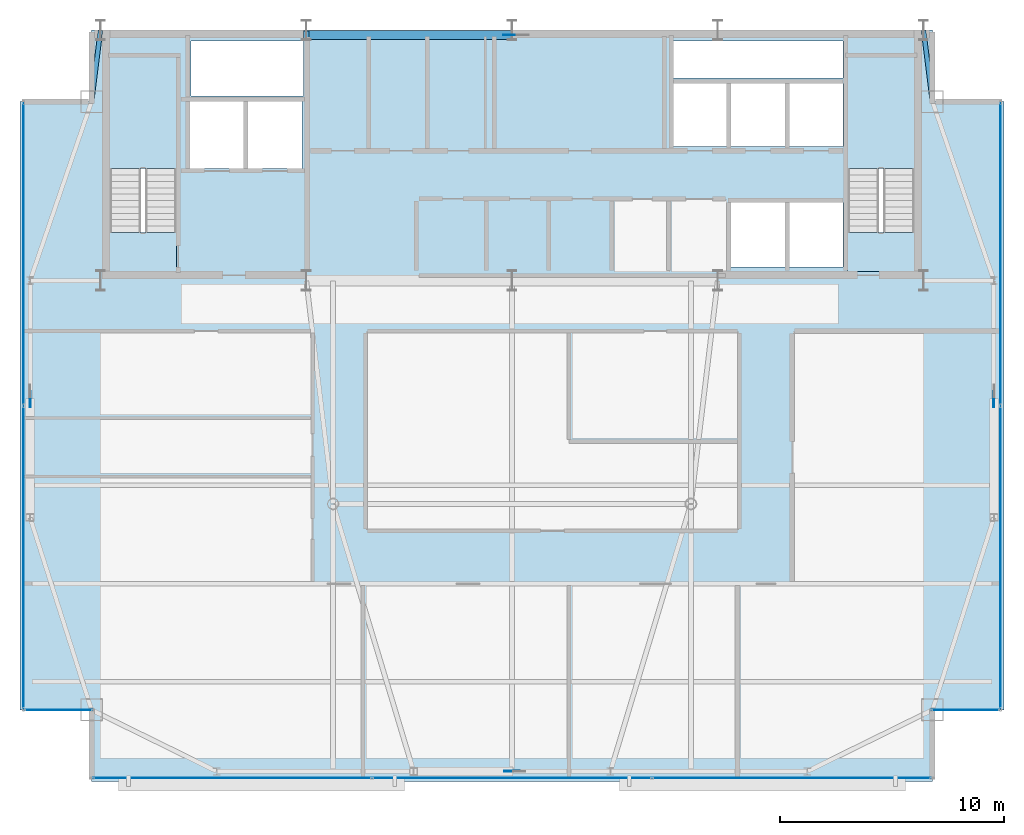
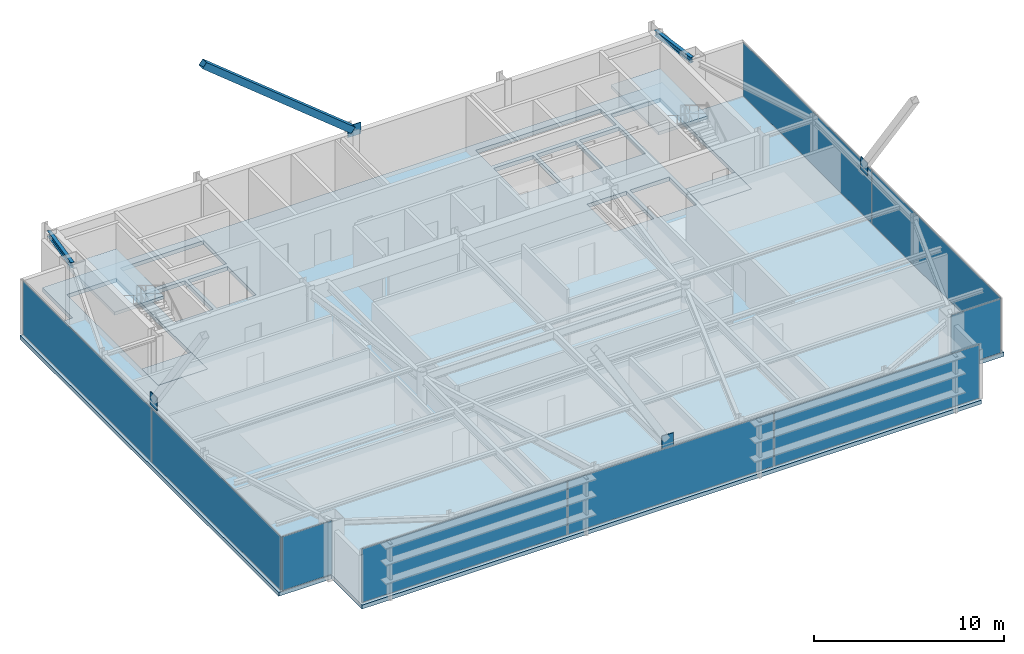
# One storey, part 18 of 24: 13 plates, 5 slabs, 2 beams, 1 member, 7 elements without a shape of their own.
"""IFC4 building model written with IfcOpenShell, lengths in metres."""

import ifcopenshell
import ifcopenshell.guid

model = None  # the IFC model being written
_history = None  # IfcOwnerHistory: only IFC2X3 demands one
_inside = {}  # id of a spatial element -> (the spatial element, [elements in it])
_under = {}  # id of a project, library or spatial element -> (it, [spatial elements below it])
_declared = {}  # id of a project -> (the project, [libraries it declares])
_typed = {}  # id of a type object -> (the type object, [elements of that type])
_made_of = {}  # id of a material, layer set ... -> (it, [elements and type objects made of it])


def new_model(schema):
    """Start an empty IFC model of exactly this schema.

    Asked for "IFC4X3", IfcOpenShell would pick the latest addendum, in which some entities
    have other attributes; the version numbers below select the first issue.
    IFC2X3 requires an IfcOwnerHistory on every rooted entity: one is made here for all.
    """
    global model, _history
    if schema == "IFC4X3":
        model = ifcopenshell.file(schema_version=(4, 3, 0, 0))
    else:
        model = ifcopenshell.file(schema=schema)
    _inside.clear()
    _under.clear()
    _declared.clear()
    _typed.clear()
    _made_of.clear()
    _history = None
    if model.schema == "IFC2X3":
        org = make("IfcOrganization", Name="unknown")
        user = make(
            "IfcPersonAndOrganization",
            ThePerson=make("IfcPerson", FamilyName="unknown"),
            TheOrganization=org,
        )
        app = make(
            "IfcApplication",
            ApplicationDeveloper=org,
            Version="unknown",
            ApplicationFullName="unknown",
            ApplicationIdentifier="unknown",
        )
        _history = make(
            "IfcOwnerHistory",
            OwningUser=user,
            OwningApplication=app,
            ChangeAction="ADDED",
            CreationDate=0,
        )
    return model


def make(cls, **values):
    """One entity of the class cls with the attributes given. An attribute that is None is left unset."""
    return model.create_entity(
        cls, **{name: value for name, value in values.items() if value is not None}
    )


def rooted(cls, **values):
    """An entity with a GlobalId (a new one), such as an element, a storey or a relation."""
    return make(cls, GlobalId=ifcopenshell.guid.new(), OwnerHistory=_history, **values)


def si_unit(unit_type, name, prefix=None):
    """IfcSIUnit, for example si_unit("LENGTHUNIT", "METRE", prefix="MILLI")."""
    return make("IfcSIUnit", UnitType=unit_type, Prefix=prefix, Name=name)


def assignment(units):
    """IfcUnitAssignment: the units of a project."""
    return None if units is None else make("IfcUnitAssignment", Units=units)


def point(xyz):
    """IfcCartesianPoint."""
    return None if xyz is None else make("IfcCartesianPoint", Coordinates=xyz)


def direction(xyz):
    """IfcDirection."""
    return None if xyz is None else make("IfcDirection", DirectionRatios=xyz)


def frame(location, z_axis=None, x_axis=None):
    """IfcAxis2Placement3D, a coordinate frame: its origin and axes. An axis left out is left unset."""
    return make(
        "IfcAxis2Placement3D",
        Location=point(location),
        Axis=direction(z_axis),
        RefDirection=direction(x_axis),
    )


def frame_2d(location, x_axis=None):
    """IfcAxis2Placement2D, a coordinate frame in the plane: its origin and x axis."""
    return make(
        "IfcAxis2Placement2D", Location=point(location), RefDirection=direction(x_axis)
    )


def origin():
    """The frame at (0, 0, 0) with its axes left unset."""
    return frame((0.0, 0.0, 0.0))


def origin_2d():
    """The frame at (0, 0) in the plane with its x axis left unset."""
    return frame_2d((0.0, 0.0))


def place(relative_to, where):
    """IfcLocalPlacement: puts the frame where relative to a parent placement (None: the world)."""
    return make(
        "IfcLocalPlacement", PlacementRelTo=relative_to, RelativePlacement=where
    )


def context(
    kind, dimensions, precision=None, world=None, true_north=None, identifier=None
):
    """IfcGeometricRepresentationContext, for example the 3D "Model" context."""
    return make(
        "IfcGeometricRepresentationContext",
        ContextIdentifier=identifier,
        ContextType=kind,
        CoordinateSpaceDimension=dimensions,
        Precision=precision,
        WorldCoordinateSystem=world,
        TrueNorth=true_north,
    )


def subcontext(parent, identifier, kind, view, scale=None):
    """IfcGeometricRepresentationSubContext, for example "Body" below "Model"."""
    return make(
        "IfcGeometricRepresentationSubContext",
        ContextIdentifier=identifier,
        ContextType=kind,
        ParentContext=parent,
        TargetScale=scale,
        TargetView=view,
    )


def project(units=None, contexts=None):
    """IfcProject with its units and contexts."""
    return rooted(
        "IfcProject",
        Name="project",
        RepresentationContexts=contexts,
        UnitsInContext=assignment(units),
    )


def spatial(cls, under=None, at=None, **own):
    """A site, building, storey or space (cls), placed at a placement, below another one or the project."""
    s = rooted(cls, ObjectPlacement=at, **own)
    if under is not None:
        _under.setdefault(under.id(), (under, []))[1].append(s)
    return s


def polyline(points):
    """IfcPolyline through the points."""
    return make("IfcPolyline", Points=[point(p) for p in points])


def profile(cls, at=None, kind="AREA", **sizes):
    """A parametric profile (cls). Its sizes go by their IFC names, for example OverallWidth=200.0."""
    return make(cls, ProfileType=kind, Position=at, **sizes)


def rectangle(**sizes):
    """IfcRectangleProfileDef."""
    return profile("IfcRectangleProfileDef", **sizes)


def hollow_rectangle(**sizes):
    """IfcRectangleHollowProfileDef."""
    return profile("IfcRectangleHollowProfileDef", **sizes)


def i_section(**sizes):
    """IfcIShapeProfileDef."""
    return profile("IfcIShapeProfileDef", **sizes)


def outline(outer, holes=None, kind="AREA"):
    """IfcArbitraryClosedProfileDef: a profile drawn as a closed curve; with holes, ...WithVoids."""
    if holes is None:
        return make("IfcArbitraryClosedProfileDef", ProfileType=kind, OuterCurve=outer)
    return make(
        "IfcArbitraryProfileDefWithVoids",
        ProfileType=kind,
        OuterCurve=outer,
        InnerCurves=holes,
    )


def extrude(swept, where, along, depth):
    """IfcExtrudedAreaSolid: the profile swept, set in the frame where, extruded along a direction by depth."""
    return make(
        "IfcExtrudedAreaSolid",
        SweptArea=swept,
        Position=where,
        ExtrudedDirection=direction(along),
        Depth=depth,
    )


def shape(context_of_items, identifier, shape_type, items):
    """IfcShapeRepresentation: the items that make up one representation, for example the "Body"."""
    return make(
        "IfcShapeRepresentation",
        ContextOfItems=context_of_items,
        RepresentationIdentifier=identifier,
        RepresentationType=shape_type,
        Items=items,
    )


def source(mapping_origin, context_of_items, identifier, shape_type, items):
    """IfcRepresentationMap: a shape defined once, which mapped items show again and again."""
    return make(
        "IfcRepresentationMap",
        MappingOrigin=mapping_origin,
        MappedRepresentation=shape(context_of_items, identifier, shape_type, items),
    )


def transform(
    local_origin,
    x_axis=None,
    y_axis=None,
    z_axis=None,
    scale=None,
    scale2=None,
    scale3=None,
    uniform=True,
):
    """IfcCartesianTransformationOperator3D, or its non-uniform kind. x_axis, y_axis, z_axis: its Axis1, 2, 3."""
    if uniform:
        return make(
            "IfcCartesianTransformationOperator3D",
            Axis1=direction(x_axis),
            Axis2=direction(y_axis),
            LocalOrigin=point(local_origin),
            Scale=scale,
            Axis3=direction(z_axis),
        )
    return make(
        "IfcCartesianTransformationOperator3DnonUniform",
        Axis1=direction(x_axis),
        Axis2=direction(y_axis),
        LocalOrigin=point(local_origin),
        Scale=scale,
        Axis3=direction(z_axis),
        Scale2=scale2,
        Scale3=scale3,
    )


def mapped(mapping_source, mapping_target):
    """IfcMappedItem: shows the shape of a source again, moved by a transform."""
    return make(
        "IfcMappedItem", MappingSource=mapping_source, MappingTarget=mapping_target
    )


def material(Name=None, Category=None):
    """IfcMaterial."""
    return make("IfcMaterial", Name=Name, Category=Category)


def layer(
    of_material, thickness, ventilated=None, Name=None, Category=None, Priority=None
):
    """IfcMaterialLayer: one layer of a wall or slab, of a material (None: an air gap)."""
    return make(
        "IfcMaterialLayer",
        Material=of_material,
        LayerThickness=thickness,
        IsVentilated=ventilated,
        Name=Name,
        Category=Category,
        Priority=Priority,
    )


def layer_set(layers, Name=None):
    """IfcMaterialLayerSet."""
    return make("IfcMaterialLayerSet", MaterialLayers=layers, LayerSetName=Name)


def material_profile(
    of_material, cross_section, Name=None, Category=None, Priority=None
):
    """IfcMaterialProfile: a cross section and its material."""
    return make(
        "IfcMaterialProfile",
        Name=Name,
        Material=of_material,
        Profile=cross_section,
        Priority=Priority,
        Category=Category,
    )


def profile_set(profiles, Name=None, composite=None):
    """IfcMaterialProfileSet."""
    return make(
        "IfcMaterialProfileSet",
        Name=Name,
        MaterialProfiles=profiles,
        CompositeProfile=composite,
    )


def made_of(thing, what):
    """Note that an element or type object is made of a material, layer set ...; save() writes the relation."""
    if what is not None:
        _made_of.setdefault(what.id(), (what, []))[1].append(thing)
    return thing


def type_object(cls, material=None, **own):
    """A type object (cls), such as IfcWallType, which elements share."""
    return made_of(rooted(cls, **own), material)


def type_shapes(of_type, sources):
    """Give a type object the sources (RepresentationMaps) that its elements show as mapped items."""
    of_type.RepresentationMaps = sources


def element(
    cls,
    number,
    at=None,
    inside=None,
    cuts=None,
    type_object=None,
    material=None,
    context=None,
    identifier="Body",
    shape_type=None,
    held_by="IfcProductDefinitionShape",
    body=None,
    shapes=None,
    **own,
):
    """One element of the class cls, such as IfcWall. Its Tag is "e" and its number.

    at: its placement. inside: the storey or other place that contains it. cuts: it is an
    opening in that element (IfcRelVoidsElement). A single representation is given by context,
    identifier, shape_type and body (its items); several are given by shapes. held_by: the class
    of the entity that holds the representations. save() writes the other relations.
    """
    e = rooted(cls, Tag="e%d" % number, ObjectPlacement=at, **own)
    if body is not None:
        shapes = [shape(context, identifier, shape_type, body)]
    if shapes is not None:
        e.Representation = make(held_by, Representations=shapes)
    if inside is not None:
        _inside.setdefault(inside.id(), (inside, []))[1].append(e)
    if cuts is not None:
        rooted(
            "IfcRelVoidsElement", RelatingBuildingElement=cuts, RelatedOpeningElement=e
        )
    if type_object is not None:
        _typed.setdefault(type_object.id(), (type_object, []))[1].append(e)
    return made_of(e, material)


def aggregate(whole, parts):
    """IfcRelAggregates: a whole, such as a stair, and the parts it consists of."""
    return rooted("IfcRelAggregates", RelatingObject=whole, RelatedObjects=parts)


def save(model, path):
    """Write the relations noted so far, then the file.

    IfcRelAggregates (storeys below a building ...), IfcRelContainedInSpatialStructure (elements
    in a storey), IfcRelDefinesByType, IfcRelAssociatesMaterial and IfcRelDeclares: one each for
    every whole, place, type object, material and project.
    """
    for whole, parts in _under.values():
        aggregate(whole, parts)
    for where, things in _inside.values():
        rooted(
            "IfcRelContainedInSpatialStructure",
            RelatedElements=things,
            RelatingStructure=where,
        )
    for kind, things in _typed.values():
        rooted("IfcRelDefinesByType", RelatedObjects=things, RelatingType=kind)
    for what, things in _made_of.values():
        rooted("IfcRelAssociatesMaterial", RelatedObjects=things, RelatingMaterial=what)
    for by, libraries in _declared.values():
        rooted("IfcRelDeclares", RelatingContext=by, RelatedDefinitions=libraries)
    model.write(path)


model = new_model("IFC4")

# Units and contexts
model_context = context("Model", 3, precision=1e-05, world=origin(), true_north=direction((0.0, 1.0)))
body_context = subcontext(model_context, "Body", "Model", "MODEL_VIEW")
ifc_project = project(units=[si_unit("LENGTHUNIT", "METRE"), si_unit("AREAUNIT", "SQUARE_METRE"), si_unit("VOLUMEUNIT", "CUBIC_METRE"), si_unit("PLANEANGLEUNIT", "RADIAN"), si_unit("MASSUNIT", "GRAM", prefix="KILO")], contexts=[model_context])

# Site, building, storey
site_placement = place(None, origin())
site = spatial("IfcSite", under=ifc_project, at=site_placement, CompositionType="ELEMENT")
building_placement = place(site_placement, origin())
building = spatial("IfcBuilding", under=site, at=building_placement, Name="Varnel Quay Broadcast Tower", CompositionType="ELEMENT")
storey_placement = place(building_placement, frame((0.0, 0.0, 262.199951171875)))
storey = spatial("IfcBuildingStorey", under=building, at=storey_placement, Name="L65", CompositionType="ELEMENT", Elevation=262.199951171875)

# Beams
ifc_material_1 = material(Name="Structural Steel CSA G40.21 350W", Category="steel")
ifc_material_profile_1 = material_profile(ifc_material_1, i_section(OverallWidth=0.205078125, OverallDepth=0.35400390625, WebThickness=0.009521484375, FlangeThickness=0.016845703125, FilletRadius=0.012939453125, at=origin_2d()), Name="W360X79")
ifc_profile_set_1 = profile_set([ifc_material_profile_1], Name="Structural Steel CSA G40.21 350W")
beam_type = type_object("IfcBeamType", Name="Beam_W360X79", PredefinedType="SPANDREL", material=ifc_profile_set_1)
shared_shape_1 = source(origin(), body_context, "Body", "SweptSolid", [
    extrude(i_section(OverallWidth=0.205078125, OverallDepth=0.35400390625, WebThickness=0.009521484375, FlangeThickness=0.016845703125, FilletRadius=0.012939453125, at=origin_2d()), origin(), (0.0, 0.0, 1.0), 3.18505859375),
])
type_shapes(beam_type, [shared_shape_1])
for number, where, z_axis, x_axis, name in (
    (1, (15.202392578125, 43.619873046875, 3.373046875), (0.124025300311, 0.992279055953, 0.0), (-0.992279055953, 0.124025300311, 0.0), "L65 NW Tie Spandrel"),
    (2, (52.402587890625, 46.7802734375, 3.373046875), (0.124025300311, -0.992279055953, 0.0), (0.992279055953, 0.124025300311, 0.0), "L65 NE Tie Spandrel"),
):
    element("IfcBeam", number, at=place(storey_placement, frame(where, z_axis=z_axis, x_axis=x_axis)), inside=storey, type_object=beam_type, Name=name, PredefinedType="SPANDREL", context=body_context, shape_type="MappedRepresentation", body=[
        mapped(shared_shape_1, transform((0.0, 0.0, 0.0), x_axis=(1.0, 0.0, 0.0), y_axis=(0.0, 1.0, 0.0), z_axis=(0.0, 0.0, 1.0), scale=1.0)),
    ])

# Member
ifc_material_profile_2 = material_profile(ifc_material_1, hollow_rectangle(XDim=0.406005859375, YDim=0.406005859375, WallThickness=0.01611328125, at=origin_2d()), Name="HSS406X406X16")
ifc_profile_set_2 = profile_set([ifc_material_profile_2], Name="Structural Steel CSA G40.21 350W")
member_type = type_object("IfcMemberType", Name="Brace_HSS406X406X16", PredefinedType="BRACE", material=ifc_profile_set_2)
shared_shape_2 = source(origin(), body_context, "Body", "SweptSolid", [
    extrude(hollow_rectangle(XDim=0.406005859375, YDim=0.406005859375, WallThickness=0.01611328125, at=origin_2d()), origin(), (0.0, 0.0, 1.0), 11.608642578125),
])
type_shapes(member_type, [shared_shape_2])
member_placement = place(storey_placement, frame((33.8193359375, 46.580078125, 3.821533203125), z_axis=(-0.776938680611, 0.0, 0.629576275418), x_axis=(0.0, -1.0, 0.0)))
element("IfcMember", 3, at=member_placement, inside=storey, type_object=member_type, Name="Zone 5 Mega-Brace N-CT1 Split Diag B2", PredefinedType="BRACE", context=body_context, shape_type="MappedRepresentation", body=[
    mapped(shared_shape_2, transform((0.0, 0.0, 0.0), x_axis=(1.0, 0.0, 0.0), y_axis=(0.0, 1.0, 0.0), z_axis=(0.0, 0.0, 1.0), scale=1.0)),
])

# Slabs
ifc_material_2 = material(Name="Concrete CSA A23.3 C50/60", Category="concrete")
ifc_layer_1 = layer(ifc_material_2, 0.25, Name="Concrete CSA A23.3 C50/60")
ifc_layer_set_1 = layer_set([ifc_layer_1], Name="Concrete CSA A23.3 C50/60")
slab_type_1 = type_object("IfcSlabType", Name="Slab_Floor250", PredefinedType="FLOOR", material=ifc_layer_set_1)
slab_1_placement = place(storey_placement, frame((0.0, 0.0, -0.25)))
element("IfcSlab", 4, at=slab_1_placement, inside=storey, type_object=slab_type_1, Name="L65 Structural Slab", PredefinedType="FLOOR", context=body_context, shape_type="SweptSolid", body=[
    extrude(outline(polyline([(15.199951171875, 13.199951171875), (52.800048828125, 13.199951171875), (52.800048828125, 16.39990234375), (56.0, 16.39990234375), (56.0, 43.60009765625), (52.800048828125, 43.60009765625), (52.800048828125, 46.800048828125), (15.199951171875, 46.800048828125), (15.199951171875, 43.60009765625), (12.0, 43.60009765625), (12.0, 16.39990234375), (15.199951171875, 16.39990234375), (15.199951171875, 13.199951171875)]), holes=[polyline([(19.0, 36.0), (16.0, 36.0), (16.0, 45.60009765625), (19.0, 45.60009765625), (19.0, 36.0)]), polyline([(19.60009765625, 40.60009765625), (19.60009765625, 43.60009765625), (22.0, 43.60009765625), (22.0, 40.60009765625), (19.60009765625, 40.60009765625)]), polyline([(22.199951171875, 40.60009765625), (22.199951171875, 43.60009765625), (24.60009765625, 43.60009765625), (24.60009765625, 40.60009765625), (22.199951171875, 40.60009765625)]), polyline([(41.199951171875, 44.39990234375), (43.60009765625, 44.39990234375), (43.60009765625, 41.60009765625), (41.199951171875, 41.60009765625), (41.199951171875, 44.39990234375)]), polyline([(43.800048828125, 44.39990234375), (46.199951171875, 44.39990234375), (46.199951171875, 41.60009765625), (43.800048828125, 41.60009765625), (43.800048828125, 44.39990234375)]), polyline([(19.64990234375, 43.85009765625), (19.64990234375, 46.300048828125), (24.679931640625, 46.300048828125), (24.679931640625, 43.85009765625), (19.64990234375, 43.85009765625)]), polyline([(43.800048828125, 39.10009765625), (46.199951171875, 39.10009765625), (46.199951171875, 36.199951171875), (43.800048828125, 36.199951171875), (43.800048828125, 39.10009765625)]), polyline([(46.39990234375, 39.10009765625), (48.800048828125, 39.10009765625), (48.800048828125, 36.199951171875), (46.39990234375, 36.199951171875), (46.39990234375, 39.10009765625)]), polyline([(52.0, 36.0), (49.0, 36.0), (49.0, 45.60009765625), (52.0, 45.60009765625), (52.0, 36.0)]), polyline([(46.39990234375, 44.39990234375), (48.800048828125, 44.39990234375), (48.800048828125, 41.60009765625), (46.39990234375, 41.60009765625), (46.39990234375, 44.39990234375)]), polyline([(41.199951171875, 46.300048828125), (48.800048828125, 46.300048828125), (48.800048828125, 44.64990234375), (41.199951171875, 44.64990234375), (41.199951171875, 46.300048828125)])]), origin(), (0.0, 0.0, 1.0), 0.25),
])
ifc_layer_2 = layer(ifc_material_2, 0.25, Name="Concrete CSA A23.3 C50/60")
ifc_layer_set_2 = layer_set([ifc_layer_2], Name="Concrete CSA A23.3 C50/60")
slab_type_2 = type_object("IfcSlabType", Name="Slab_StairFloorLanding250", PredefinedType="FLOOR", material=ifc_layer_set_2)
slab_2_placement = place(storey_placement, frame((0.0, 0.0, -0.25)))
element("IfcSlab", 5, at=slab_2_placement, inside=storey, type_object=slab_type_2, Name="L65 ST-01 Structural Floor Landing Slab", PredefinedType="FLOOR", context=body_context, shape_type="SweptSolid", body=[
    extrude(outline(polyline([(19.0, 36.0), (19.0, 37.75), (16.0, 37.75), (16.0, 36.0), (19.0, 36.0)])), origin(), (0.0, 0.0, 1.0), 0.25),
])
slab_3_placement = place(storey_placement, frame((0.0, 0.0, -0.25)))
element("IfcSlab", 6, at=slab_3_placement, inside=storey, type_object=slab_type_2, Name="L65 ST-02 Structural Floor Landing Slab", PredefinedType="FLOOR", context=body_context, shape_type="SweptSolid", body=[
    extrude(outline(polyline([(52.0, 36.0), (52.0, 37.75), (49.0, 37.75), (49.0, 36.0), (52.0, 36.0)])), origin(), (0.0, 0.0, 1.0), 0.25),
])

# Stair, slab
ifc_material_3 = material(Name="Precast Structural Concrete C40/50", Category="concrete")
stair_type_1 = type_object("IfcStairType", Name="Stair_ST-01", PredefinedType="HALF_TURN_STAIR", material=ifc_material_3)
stair_1_placement = place(storey_placement, origin())
stair_1 = element("IfcStair", 7, at=stair_1_placement, inside=storey, type_object=stair_type_1, Name="L65 West Core Exit Stair 1", PredefinedType="HALF_TURN_STAIR")
ifc_layer_3 = layer(ifc_material_3, 0.199951171875, Name="Precast Structural Concrete C40/50")
ifc_layer_set_3 = layer_set([ifc_layer_3], Name="Precast Structural Concrete C40/50")
slab_type_3 = type_object("IfcSlabType", Name="Slab_StairLanding200", PredefinedType="LANDING", material=ifc_layer_set_3)
slab_4_placement = place(storey_placement, frame((0.0, 0.0, 1.699951171875)))
slab_4 = element("IfcSlab", 8, at=slab_4_placement, type_object=slab_type_3, Name="ST-01 landing 1", PredefinedType="LANDING", context=body_context, shape_type="SweptSolid", body=[
    extrude(outline(polyline([(19.0, 40.60009765625), (19.0, 45.60009765625), (16.0, 45.60009765625), (16.0, 40.60009765625), (19.0, 40.60009765625)])), origin(), (0.0, 0.0, 1.0), 0.2001953125),
])
aggregate(stair_1, [slab_4])

stair_type_2 = type_object("IfcStairType", Name="Stair_ST-02", PredefinedType="HALF_TURN_STAIR", material=ifc_material_3)
stair_2_placement = place(storey_placement, origin())
stair_2 = element("IfcStair", 9, at=stair_2_placement, inside=storey, type_object=stair_type_2, Name="L65 East Core Exit Stair 2", PredefinedType="HALF_TURN_STAIR")
slab_5_placement = place(storey_placement, frame((0.0, 0.0, 1.699951171875)))
slab_5 = element("IfcSlab", 10, at=slab_5_placement, type_object=slab_type_3, Name="ST-02 landing 1", PredefinedType="LANDING", context=body_context, shape_type="SweptSolid", body=[
    extrude(outline(polyline([(52.0, 40.60009765625), (52.0, 45.60009765625), (49.0, 45.60009765625), (49.0, 40.60009765625), (52.0, 40.60009765625)])), origin(), (0.0, 0.0, 1.0), 0.2001953125),
])
aggregate(stair_2, [slab_5])

# Plates
ifc_material_4 = material(Name="Structural Steel CSA G40.21 350WT", Category="steel")
ifc_layer_4 = layer(ifc_material_4, 0.0400390625, Name="Structural Steel CSA G40.21 350WT")
ifc_layer_set_4 = layer_set([ifc_layer_4], Name="Structural Steel CSA G40.21 350WT")
plate_type_1 = type_object("IfcPlateType", Name="Plate_MegaGusset", PredefinedType="USERDEFINED", material=ifc_layer_set_4)
shared_shape_3 = source(origin(), body_context, "Body", "SweptSolid", [
    extrude(rectangle(XDim=0.801025390625, YDim=0.0400390625, at=origin_2d()), origin(), (0.0, 0.0, 1.0), 0.73291015625),
])
plate_1_placement = place(storey_placement, frame((34.0, 46.580078125, 3.30859375), z_axis=(0.0, 0.0, 1.0), x_axis=(1.0, 0.0, 0.0)))
element("IfcPlate", 11, at=plate_1_placement, inside=storey, type_object=plate_type_1, Name="Zone 5 Mega-Brace N-CT1 Central X-Crossing Gusset Plate", ObjectType="GUSSET_PLATE", PredefinedType="USERDEFINED", context=body_context, shape_type="MappedRepresentation", body=[
    mapped(shared_shape_3, transform((0.0, 0.0, 0.0), x_axis=(1.0, 0.0, 0.0), y_axis=(0.0, 1.0, 0.0), z_axis=(0.0, 0.0, 1.0), scale=1.0)),
])
shared_shape_4 = source(origin(), body_context, "Body", "SweptSolid", [
    extrude(rectangle(XDim=0.700927734375, YDim=0.0400390625, at=origin_2d()), origin(), (0.0, 0.0, 1.0), 0.882080078125),
])
plate_2_placement = place(storey_placement, frame((34.0, 13.64990234375, 3.23388671875), z_axis=(0.0, 0.0, 1.0), x_axis=(1.0, 0.0, 0.0)))
element("IfcPlate", 12, at=plate_2_placement, inside=storey, type_object=plate_type_1, Name="Zone 5 Mega-Brace S-C1T1 Central X-Crossing Gusset Plate", ObjectType="GUSSET_PLATE", PredefinedType="USERDEFINED", context=body_context, shape_type="MappedRepresentation", body=[
    mapped(shared_shape_4, transform((0.0, 0.0, 0.0), x_axis=(1.0, 0.0, 0.0), y_axis=(0.0, 1.0, 0.0), z_axis=(0.0, 0.0, 1.0), scale=1.0)),
])
shared_shape_5 = source(origin(), body_context, "Body", "SweptSolid", [
    extrude(rectangle(XDim=0.718017578125, YDim=0.0400390625, at=origin_2d()), origin(), (0.0, 0.0, 1.0), 0.8310546875),
])
type_shapes(plate_type_1, [shared_shape_3, shared_shape_4, shared_shape_5])
for number, where, z_axis, x_axis, name in (
    (13, (12.449951171875, 30.300048828125, 3.259521484375), (0.0, 0.0, 1.0), (0.0, 1.0, 0.0), "Zone 5 Mega-Brace W-FT1 Central X-Crossing Gusset Plate"),
    (14, (55.550048828125, 30.300048828125, 3.259521484375), (0.0, 0.0, 1.0), (0.0, 1.0, 0.0), "Zone 5 Mega-Brace E-FT1 Central X-Crossing Gusset Plate"),
):
    element("IfcPlate", number, at=place(storey_placement, frame(where, z_axis=z_axis, x_axis=x_axis)), inside=storey, type_object=plate_type_1, Name=name, ObjectType="GUSSET_PLATE", PredefinedType="USERDEFINED", context=body_context, shape_type="MappedRepresentation", body=[
        mapped(shared_shape_5, transform((0.0, 0.0, 0.0), x_axis=(1.0, 0.0, 0.0), y_axis=(0.0, 1.0, 0.0), z_axis=(0.0, 0.0, 1.0), scale=1.0)),
    ])

# Curtain wall, plates
ifc_material_5 = material(Name="Anodised Bronze Aluminium 6063-T6", Category="aluminium")
ifc_layer_5 = layer(ifc_material_5, 0.18994140625, Name="Anodised Bronze Aluminium 6063-T6")
ifc_layer_set_5 = layer_set([ifc_layer_5], Name="Anodised Bronze Aluminium 6063-T6")
curtain_wall_type_1 = type_object("IfcCurtainWallType", Name="CW_UpperTower", PredefinedType="NOTDEFINED", material=ifc_layer_set_5)
curtain_wall_1_placement = place(storey_placement, origin())
curtain_wall_1 = element("IfcCurtainWall", 15, at=curtain_wall_1_placement, inside=storey, type_object=curtain_wall_type_1, Name="L65 West Unitised Curtain Wall", PredefinedType="NOTDEFINED")
ifc_material_6 = material(Name="Insulated Bronze Spandrel Glass", Category="glass")
ifc_layer_6 = layer(ifc_material_6, 0.030029296875, Name="Insulated Bronze Spandrel Glass")
ifc_layer_set_6 = layer_set([ifc_layer_6], Name="Insulated Bronze Spandrel Glass")
plate_type_2 = type_object("IfcPlateType", Name="PanelSp_CWS-03", PredefinedType="CURTAIN_PANEL", material=ifc_layer_set_6)
shared_shape_6 = source(origin(), body_context, "Body", "SweptSolid", [
    extrude(rectangle(XDim=13.50244140625, YDim=0.030029296875, at=origin_2d()), origin(), (0.0, 0.0, 1.0), 3.429931640625),
])
plate_3_placement = place(storey_placement, frame((12.14990234375, 23.21630859375, 0.06005859375), z_axis=(0.0, 0.0, 1.0), x_axis=(0.0, 1.0, 0.0)))
plate_3 = element("IfcPlate", 16, at=plate_3_placement, type_object=plate_type_2, Name="CWS-03 panel 1.1", PredefinedType="CURTAIN_PANEL", context=body_context, shape_type="MappedRepresentation", body=[
    mapped(shared_shape_6, transform((0.0, 0.0, 0.0), x_axis=(1.0, 0.0, 0.0), y_axis=(0.0, 1.0, 0.0), z_axis=(0.0, 0.0, 1.0), scale=1.0)),
])
plate_4_placement = place(storey_placement, frame((12.14990234375, 36.78369140625, 0.06005859375), z_axis=(0.0, 0.0, 1.0), x_axis=(0.0, 1.0, 0.0)))
plate_4 = element("IfcPlate", 17, at=plate_4_placement, type_object=plate_type_2, Name="CWS-03 panel 2.1", PredefinedType="CURTAIN_PANEL", context=body_context, shape_type="MappedRepresentation", body=[
    mapped(shared_shape_6, transform((0.0, 0.0, 0.0), x_axis=(1.0, 0.0, 0.0), y_axis=(0.0, 1.0, 0.0), z_axis=(0.0, 0.0, 1.0), scale=1.0)),
])
aggregate(curtain_wall_1, [plate_3, plate_4])

curtain_wall_2_placement = place(storey_placement, origin())
curtain_wall_2 = element("IfcCurtainWall", 18, at=curtain_wall_2_placement, inside=storey, type_object=curtain_wall_type_1, Name="L65 East Unitised Curtain Wall", PredefinedType="NOTDEFINED")
plate_5_placement = place(storey_placement, frame((55.85009765625, 23.21630859375, 0.06005859375), z_axis=(0.0, 0.0, 1.0), x_axis=(0.0, 1.0, 0.0)))
plate_5 = element("IfcPlate", 19, at=plate_5_placement, type_object=plate_type_2, Name="CWS-03 panel 1.1", PredefinedType="CURTAIN_PANEL", context=body_context, shape_type="MappedRepresentation", body=[
    mapped(shared_shape_6, transform((0.0, 0.0, 0.0), x_axis=(1.0, 0.0, 0.0), y_axis=(0.0, 1.0, 0.0), z_axis=(0.0, 0.0, 1.0), scale=1.0)),
])
plate_6_placement = place(storey_placement, frame((55.85009765625, 36.78369140625, 0.06005859375), z_axis=(0.0, 0.0, 1.0), x_axis=(0.0, 1.0, 0.0)))
plate_6 = element("IfcPlate", 20, at=plate_6_placement, type_object=plate_type_2, Name="CWS-03 panel 2.1", PredefinedType="CURTAIN_PANEL", context=body_context, shape_type="MappedRepresentation", body=[
    mapped(shared_shape_6, transform((0.0, 0.0, 0.0), x_axis=(1.0, 0.0, 0.0), y_axis=(0.0, 1.0, 0.0), z_axis=(0.0, 0.0, 1.0), scale=1.0)),
])
aggregate(curtain_wall_2, [plate_5, plate_6])

# Curtain wall, plate
ifc_layer_7 = layer(ifc_material_5, 0.18994140625, Name="Anodised Bronze Aluminium 6063-T6")
ifc_layer_set_7 = layer_set([ifc_layer_7], Name="Anodised Bronze Aluminium 6063-T6")
curtain_wall_type_2 = type_object("IfcCurtainWallType", Name="CW_NotchCorner", PredefinedType="NOTDEFINED", material=ifc_layer_set_7)
curtain_wall_3_placement = place(storey_placement, origin())
curtain_wall_3 = element("IfcCurtainWall", 21, at=curtain_wall_3_placement, inside=storey, type_object=curtain_wall_type_2, Name="L65 SW Notch Curtain Wall", PredefinedType="NOTDEFINED")
ifc_material_7 = material(Name="Triple-Glazed Bronze Low-E Architectural Glass", Category="glass")
ifc_layer_8 = layer(ifc_material_7, 0.028076171875, Name="Triple-Glazed Bronze Low-E Architectural Glass")
ifc_layer_set_8 = layer_set([ifc_layer_8], Name="Triple-Glazed Bronze Low-E Architectural Glass")
plate_type_3 = type_object("IfcPlateType", Name="Panel_CWS-04", PredefinedType="CURTAIN_PANEL", material=ifc_layer_set_8)
shared_shape_7 = source(origin(), body_context, "Body", "SweptSolid", [
    extrude(rectangle(XDim=3.010009765625, YDim=0.028076171875, at=origin_2d()), origin(), (0.0, 0.0, 1.0), 3.43994140625),
])
type_shapes(plate_type_3, [shared_shape_7])
plate_7_placement = place(storey_placement, frame((13.715087890625, 16.39990234375, 0.05517578125), z_axis=(0.0, 0.0, 1.0), x_axis=(1.0, 0.0, 0.0)))
plate_7 = element("IfcPlate", 22, at=plate_7_placement, type_object=plate_type_3, Name="CWS-04 panel 1.1", PredefinedType="CURTAIN_PANEL", context=body_context, shape_type="MappedRepresentation", body=[
    mapped(shared_shape_7, transform((0.0, 0.0, 0.0), x_axis=(1.0, 0.0, 0.0), y_axis=(0.0, 1.0, 0.0), z_axis=(0.0, 0.0, 1.0), scale=1.0)),
])
aggregate(curtain_wall_3, [plate_7])

curtain_wall_4_placement = place(storey_placement, origin())
curtain_wall_4 = element("IfcCurtainWall", 23, at=curtain_wall_4_placement, inside=storey, type_object=curtain_wall_type_2, Name="L65 SE Notch Curtain Wall", PredefinedType="NOTDEFINED")
plate_8_placement = place(storey_placement, frame((54.284912109375, 16.39990234375, 0.05517578125), z_axis=(0.0, 0.0, 1.0), x_axis=(1.0, 0.0, 0.0)))
plate_8 = element("IfcPlate", 24, at=plate_8_placement, type_object=plate_type_3, Name="CWS-04 panel 1.1", PredefinedType="CURTAIN_PANEL", context=body_context, shape_type="MappedRepresentation", body=[
    mapped(shared_shape_7, transform((0.0, 0.0, 0.0), x_axis=(1.0, 0.0, 0.0), y_axis=(0.0, 1.0, 0.0), z_axis=(0.0, 0.0, 1.0), scale=1.0)),
])
aggregate(curtain_wall_4, [plate_8])

# Curtain wall, plates
curtain_wall_5_placement = place(storey_placement, origin())
curtain_wall_5 = element("IfcCurtainWall", 25, at=curtain_wall_5_placement, inside=storey, type_object=curtain_wall_type_1, Name="L65 South Unitised Curtain Wall 1", PredefinedType="NOTDEFINED")
ifc_layer_9 = layer(ifc_material_7, 0.030029296875, Name="Triple-Glazed Bronze Low-E Architectural Glass")
ifc_layer_set_9 = layer_set([ifc_layer_9], Name="Triple-Glazed Bronze Low-E Architectural Glass")
plate_type_4 = type_object("IfcPlateType", Name="Panel_CWS-03", PredefinedType="CURTAIN_PANEL", material=ifc_layer_set_9)
shared_shape_8 = source(origin(), body_context, "Body", "SweptSolid", [
    extrude(rectangle(XDim=12.435791015625, YDim=0.030029296875, at=origin_2d()), origin(), (0.0, 0.0, 1.0), 3.429931640625),
])
type_shapes(plate_type_4, [shared_shape_8])
plate_9_placement = place(storey_placement, frame((21.48291015625, 13.35009765625, 0.06005859375), z_axis=(0.0, 0.0, 1.0), x_axis=(1.0, 0.0, 0.0)))
plate_9 = element("IfcPlate", 26, at=plate_9_placement, type_object=plate_type_4, Name="CWS-03 panel 1.1", PredefinedType="CURTAIN_PANEL", context=body_context, shape_type="MappedRepresentation", body=[
    mapped(shared_shape_8, transform((0.0, 0.0, 0.0), x_axis=(1.0, 0.0, 0.0), y_axis=(0.0, 1.0, 0.0), z_axis=(0.0, 0.0, 1.0), scale=1.0)),
])
plate_10_placement = place(storey_placement, frame((46.51708984375, 13.35009765625, 0.06005859375), z_axis=(0.0, 0.0, 1.0), x_axis=(1.0, 0.0, 0.0)))
plate_10 = element("IfcPlate", 27, at=plate_10_placement, type_object=plate_type_4, Name="CWS-03 panel 3.1", PredefinedType="CURTAIN_PANEL", context=body_context, shape_type="MappedRepresentation", body=[
    mapped(shared_shape_8, transform((0.0, 0.0, 0.0), x_axis=(1.0, 0.0, 0.0), y_axis=(0.0, 1.0, 0.0), z_axis=(0.0, 0.0, 1.0), scale=1.0)),
])
shared_shape_9 = source(origin(), body_context, "Body", "SweptSolid", [
    extrude(rectangle(XDim=12.46826171875, YDim=0.030029296875, at=origin_2d()), origin(), (0.0, 0.0, 1.0), 3.429931640625),
])
type_shapes(plate_type_2, [shared_shape_6, shared_shape_9])
plate_11_placement = place(storey_placement, frame((34.0, 13.35009765625, 0.06005859375), z_axis=(0.0, 0.0, 1.0), x_axis=(1.0, 0.0, 0.0)))
plate_11 = element("IfcPlate", 28, at=plate_11_placement, type_object=plate_type_2, Name="CWS-03 panel 2.1", PredefinedType="CURTAIN_PANEL", context=body_context, shape_type="MappedRepresentation", body=[
    mapped(shared_shape_9, transform((0.0, 0.0, 0.0), x_axis=(1.0, 0.0, 0.0), y_axis=(0.0, 1.0, 0.0), z_axis=(0.0, 0.0, 1.0), scale=1.0)),
])
aggregate(curtain_wall_5, [plate_9, plate_11, plate_10])

save(model, "model.ifc")
